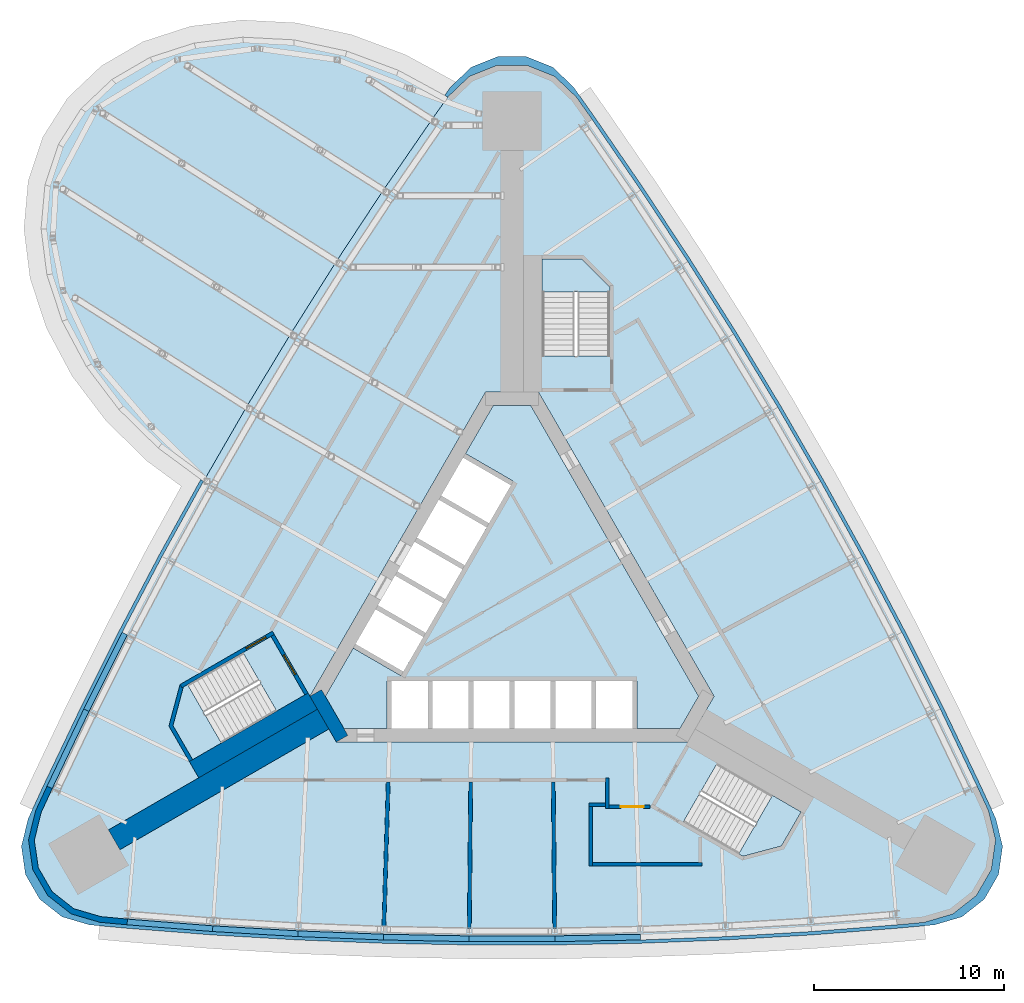
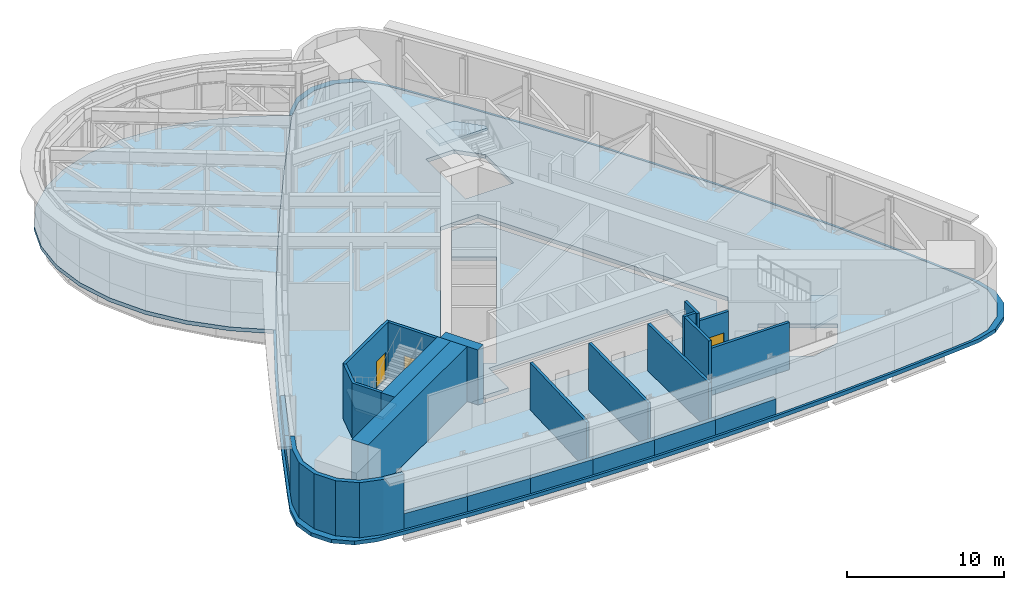
# One storey, part 6 of 11: 23 walls, 7 slabs, 3 doors, 3 openings, 3 elements without a shape of their own.
"""IFC4 building model written with IfcOpenShell, lengths in metres."""

from ifc_helpers import new_model, si_unit, direction, frame, frame_2d, origin, place, context, subcontext, project, spatial, polyline, rectangle, outline, extrude, material, layer, layer_set, type_object, element, fill, aggregate, save


model = new_model("IFC4")

# Units and contexts
model_context = context("Model", 3, precision=1e-05, world=origin(), true_north=direction((0.0, 1.0)))
body_context = subcontext(model_context, "Body", "Model", "MODEL_VIEW")
ifc_project = project(units=[si_unit("LENGTHUNIT", "METRE"), si_unit("AREAUNIT", "SQUARE_METRE"), si_unit("VOLUMEUNIT", "CUBIC_METRE"), si_unit("PLANEANGLEUNIT", "RADIAN"), si_unit("MASSUNIT", "GRAM", prefix="KILO")], contexts=[model_context])

# Site, building, storey
site_placement = place(None, origin())
site = spatial("IfcSite", under=ifc_project, at=site_placement, CompositionType="ELEMENT")
building_placement = place(site_placement, origin())
building = spatial("IfcBuilding", under=site, at=building_placement, Name="Noor Cloister Tower", CompositionType="ELEMENT")
storey_placement = place(building_placement, frame((0.0, 0.0, 87.0)))
storey = spatial("IfcBuildingStorey", under=building, at=storey_placement, Name="L22", CompositionType="ELEMENT", Elevation=87.0)

# Slabs
ifc_material_1 = material(Name="Concrete C40/50", Category="concrete")
ifc_layer_1 = layer(ifc_material_1, 0.300048828125)
ifc_layer_set_1 = layer_set([ifc_layer_1], Name="Core floor slab 300 C40/50")
slab_type_1 = type_object("IfcSlabType", Name="Core floor slab 300 C40/50", PredefinedType="FLOOR", material=ifc_layer_set_1)
slab_1_placement = place(storey_placement, frame((0.0, 0.0, -0.300048828125)))
element("IfcSlab", 1, at=slab_1_placement, inside=storey, type_object=slab_type_1, Name="Core floor L22", PredefinedType="FLOOR", context=body_context, shape_type="SweptSolid", body=[
    extrude(outline(polyline([(-6.574951171875, -6.228271484375), (-6.574951171875, -3.728271484375), (6.574951171875, -3.728271484375), (6.574951171875, -6.228271484375), (8.82470703125, -6.228271484375), (9.80615234375, -4.5283203125), (0.9814453125, 10.75634765625), (-0.9814453125, 10.75634765625), (-2.44384765625, 8.2236328125), (0.067626953125, 6.773681640625), (-5.832275390625, -3.4453125), (-8.34375, -1.995361328125), (-9.80615234375, -4.5283203125), (-8.82470703125, -6.228271484375), (-6.574951171875, -6.228271484375)])), origin(), (0.0, 0.0, 1.0), 0.300048828125),
])
ifc_material_2 = material(Name="Concrete C40/50", Category="concrete")
ifc_layer_2 = layer(ifc_material_2, 0.300048828125)
ifc_layer_set_2 = layer_set([ifc_layer_2], Name="Floor slab 300 C40/50")
slab_type_2 = type_object("IfcSlabType", Name="Floor slab 300 C40/50", PredefinedType="FLOOR", material=ifc_layer_set_2)
slab_2_placement = place(storey_placement, frame((0.0, 0.0, -0.300048828125)))
element("IfcSlab", 2, at=slab_2_placement, inside=storey, type_object=slab_type_2, Name="Floor slab L22", PredefinedType="FLOOR", context=body_context, shape_type="SweptSolid", body=[
    extrude(outline(polyline([(3.37548828125, 26.95263671875), (2.240478515625, 28.035400390625), (0.784423828125, 28.61865234375), (-0.784423828125, 28.61865234375), (-2.240478515625, 28.035400390625), (-3.37548828125, 26.95263671875), (-4.204833984375, 25.77978515625), (-6.754150390625, 22.07177734375), (-9.230224609375, 18.314208984375), (-11.6318359375, 14.5087890625), (-13.9580078125, 10.65673828125), (-16.2080078125, 6.759765625), (-18.380859375, 2.819091796875), (-20.475830078125, -1.16357421875), (-22.49169921875, -5.1865234375), (-24.42822265625, -9.24853515625), (-25.029541015625, -10.552978515625), (-25.399658203125, -12.077392578125), (-25.1767578125, -13.630126953125), (-24.392333984375, -14.988525390625), (-23.1591796875, -15.958251953125), (-21.65380859375, -16.399658203125), (-20.2236328125, -16.53125), (-15.737548828125, -16.88525390625), (-11.245361328125, -17.150634765625), (-6.7490234375, -17.327880859375), (-2.25, -17.41650390625), (2.25, -17.41650390625), (6.7490234375, -17.327880859375), (11.245361328125, -17.150634765625), (15.737548828125, -16.88525390625), (20.2236328125, -16.53125), (21.65380859375, -16.399658203125), (23.1591796875, -15.958251953125), (24.392333984375, -14.988525390625), (25.1767578125, -13.630126953125), (25.399658203125, -12.077392578125), (25.029541015625, -10.552978515625), (24.42822265625, -9.24853515625), (22.49169921875, -5.1865234375), (20.475830078125, -1.16357421875), (18.380859375, 2.819091796875), (16.2080078125, 6.759765625), (13.9580078125, 10.65673828125), (11.6318359375, 14.5087890625), (9.230224609375, 18.314208984375), (6.754150390625, 22.07177734375), (4.204833984375, 25.77978515625), (3.37548828125, 26.95263671875)]), holes=[polyline([(8.999755859375, -11.126220703125), (12.131591796875, -12.934326171875), (14.1572265625, -12.3916015625), (15.19091796875, -10.601318359375), (10.774658203125, -8.0517578125), (8.999755859375, -11.126220703125)]), polyline([(-17.81005859375, -6.064697265625), (-16.776611328125, -7.85498046875), (-12.3603515625, -5.305419921875), (-14.13525390625, -2.23095703125), (-16.662841796875, -3.690185546875), (-17.267333984375, -4.039306640625), (-17.81005859375, -6.064697265625)]), polyline([(-10.6142578125, -4.5283203125), (-9.228759765625, -6.92822265625), (9.228759765625, -6.92822265625), (10.6142578125, -4.5283203125), (1.3857421875, 11.456298828125), (-1.3857421875, 11.456298828125), (-10.6142578125, -4.5283203125)]), polyline([(3.65283203125, 18.456298828125), (1.585693359375, 18.456298828125), (1.585693359375, 13.35693359375), (5.135498046875, 13.35693359375), (5.135498046875, 16.9736328125), (3.65283203125, 18.456298828125)])]), origin(), (0.0, 0.0, 1.0), 0.300048828125),
])
ifc_material_3 = material(Name="Concrete C40/50", Category="concrete")
ifc_layer_3 = layer(ifc_material_3, 0.300048828125)
ifc_layer_set_3 = layer_set([ifc_layer_3], Name="Ledge roof 300 C40/50")
slab_type_3 = type_object("IfcSlabType", Name="Ledge roof 300 C40/50", PredefinedType="ROOF", material=ifc_layer_set_3)
slab_3_placement = place(storey_placement, frame((0.0, 0.0, -0.300048828125)))
element("IfcSlab", 3, at=slab_3_placement, inside=storey, type_object=slab_type_3, Name="Ledge roof L22", PredefinedType="ROOF", context=body_context, shape_type="SweptSolid", body=[
    extrude(outline(polyline([(6.910888671875, 22.162353515625), (4.3642578125, 25.87255859375), (3.216796875, 27.4951171875), (2.134521484375, 28.525390625), (0.7470703125, 29.080078125), (-0.7470703125, 29.080078125), (-2.134521484375, 28.525390625), (-3.216796875, 27.4951171875), (-3.5380859375, 27.040771484375), (-3.37548828125, 26.95263671875), (-2.240478515625, 28.035400390625), (-0.784423828125, 28.61865234375), (0.784423828125, 28.61865234375), (2.240478515625, 28.035400390625), (3.37548828125, 26.95263671875), (4.204833984375, 25.77978515625), (6.754150390625, 22.07177734375), (9.230224609375, 18.314208984375), (11.6318359375, 14.5087890625), (13.9580078125, 10.65673828125), (16.2080078125, 6.759765625), (18.380859375, 2.819091796875), (20.475830078125, -1.16357421875), (22.49169921875, -5.1865234375), (24.42822265625, -9.24853515625), (25.029541015625, -10.552978515625), (25.399658203125, -12.077392578125), (25.1767578125, -13.630126953125), (24.392333984375, -14.988525390625), (23.1591796875, -15.958251953125), (21.65380859375, -16.399658203125), (20.2236328125, -16.53125), (15.737548828125, -16.88525390625), (11.245361328125, -17.150634765625), (6.7490234375, -17.327880859375), (2.25, -17.41650390625), (-2.25, -17.41650390625), (-6.7490234375, -17.327880859375), (-11.245361328125, -17.150634765625), (-15.737548828125, -16.88525390625), (-20.2236328125, -16.53125), (-21.65380859375, -16.399658203125), (-23.1591796875, -15.958251953125), (-24.392333984375, -14.988525390625), (-25.1767578125, -13.630126953125), (-25.399658203125, -12.077392578125), (-25.029541015625, -10.552978515625), (-24.42822265625, -9.24853515625), (-22.49169921875, -5.1865234375), (-20.475830078125, -1.16357421875), (-18.380859375, 2.819091796875), (-16.2080078125, 6.759765625), (-16.35009765625, 6.864501953125), (-16.360107421875, 6.847412109375), (-18.53369140625, 2.9072265625), (-20.630126953125, -1.074462890625), (-22.648681640625, -5.09619140625), (-24.58837890625, -9.15673828125), (-25.419921875, -10.961669921875), (-25.770751953125, -12.4140625), (-25.5576171875, -13.89306640625), (-24.810546875, -15.18701171875), (-23.636474609375, -16.111083984375), (-22.203125, -16.533447265625), (-20.22412109375, -16.7158203125), (-15.73779296875, -17.066162109375), (-11.24560546875, -17.328857421875), (-6.7490234375, -17.504150390625), (-2.25, -17.591796875), (2.25, -17.591796875), (6.7490234375, -17.504150390625), (11.24560546875, -17.328857421875), (15.73779296875, -17.066162109375), (20.22412109375, -16.7158203125), (22.203125, -16.533447265625), (23.636474609375, -16.111083984375), (24.810546875, -15.18701171875), (25.5576171875, -13.89306640625), (25.770751953125, -12.4140625), (25.419921875, -10.961669921875), (24.58837890625, -9.15673828125), (22.648681640625, -5.09619140625), (20.630126953125, -1.074462890625), (18.53369140625, 2.9072265625), (16.360107421875, 6.847412109375), (14.110107421875, 10.744384765625), (11.78466796875, 14.596923828125), (9.384521484375, 18.4033203125), (6.910888671875, 22.162353515625)])), origin(), (0.0, 0.0, 1.0), 0.300048828125),
])
ifc_material_4 = material(Name="Concrete C40/50", Category="concrete")
ifc_layer_4 = layer(ifc_material_4, 0.300048828125)
ifc_layer_set_4 = layer_set([ifc_layer_4], Name="Pod floor slab 300")
slab_type_4 = type_object("IfcSlabType", Name="Pod floor slab 300", PredefinedType="FLOOR", material=ifc_layer_set_4)
slab_4_placement = place(storey_placement, frame((0.0, 0.0, -0.300048828125)))
element("IfcSlab", 4, at=slab_4_placement, inside=storey, type_object=slab_type_4, Name="Pod floor slab L22", PredefinedType="FLOOR", context=body_context, shape_type="SweptSolid", body=[
    extrude(outline(polyline([(-3.37548828125, 26.95263671875), (-5.96630859375, 28.357666015625), (-8.68701171875, 29.370849609375), (-11.445556640625, 29.9580078125), (-14.147705078125, 30.098876953125), (-16.70166015625, 29.7890625), (-19.02001953125, 29.03857421875), (-21.0244140625, 27.873291015625), (-22.646240234375, 26.332763671875), (-23.830078125, 24.469482421875), (-24.5361328125, 22.34716796875), (-24.739990234375, 20.03759765625), (-24.434814453125, 17.619873046875), (-23.631103515625, 15.17626953125), (-22.35595703125, 12.78955078125), (-20.65283203125, 10.54150390625), (-18.580078125, 8.508544921875), (-16.2080078125, 6.759765625), (-13.9580078125, 10.65673828125), (-11.6318359375, 14.5087890625), (-9.230224609375, 18.314208984375), (-6.754150390625, 22.07177734375), (-4.204833984375, 25.77978515625), (-3.37548828125, 26.95263671875)])), origin(), (0.0, 0.0, 1.0), 0.300048828125),
])

# Stair, slab
ifc_material_5 = material(Name="Concrete C40/50", Category="concrete")
stair_type = type_object("IfcStairType", Name="Exit stair 26 risers", PredefinedType="HALF_TURN_STAIR", material=ifc_material_5)
stair_1_placement = place(storey_placement, origin())
stair_1 = element("IfcStair", 5, at=stair_1_placement, inside=storey, type_object=stair_type, Name="Exit stair ST1 L22", PredefinedType="HALF_TURN_STAIR")
ifc_material_6 = material(Name="Concrete C40/50", Category="concrete")
ifc_layer_5 = layer(ifc_material_6, 0.199951171875)
ifc_layer_set_5 = layer_set([ifc_layer_5], Name="Stair landing 200 C40/50")
slab_type_5 = type_object("IfcSlabType", Name="Stair landing 200 C40/50", PredefinedType="LANDING", material=ifc_layer_set_5)
slab_5_placement = place(storey_placement, frame((0.0, 0.0, 2.050048828125)))
slab_5 = element("IfcSlab", 6, at=slab_5_placement, type_object=slab_type_5, Name="ST1 landing 1", PredefinedType="LANDING", context=body_context, shape_type="SweptSolid", body=[
    extrude(outline(polyline([(5.135498046875, 16.7158203125), (5.135498046875, 16.9736328125), (3.65283203125, 18.456298828125), (1.585693359375, 18.456298828125), (1.585693359375, 16.7158203125), (5.135498046875, 16.7158203125)])), origin(), (0.0, 0.0, 1.0), 0.199951171875),
])
aggregate(stair_1, [slab_5])

stair_2_placement = place(storey_placement, origin())
stair_2 = element("IfcStair", 7, at=stair_2_placement, inside=storey, type_object=stair_type, Name="Exit stair ST2 L22", PredefinedType="HALF_TURN_STAIR")
slab_6_placement = place(storey_placement, frame((0.0, 0.0, 2.050048828125)))
slab_6 = element("IfcSlab", 8, at=slab_6_placement, type_object=slab_type_5, Name="ST2 landing 1", PredefinedType="LANDING", context=body_context, shape_type="SweptSolid", body=[
    extrude(outline(polyline([(-17.044189453125, -3.910400390625), (-17.267333984375, -4.039306640625), (-17.81005859375, -6.064697265625), (-16.776611328125, -7.85498046875), (-15.26904296875, -6.984619140625), (-17.044189453125, -3.910400390625)])), origin(), (0.0, 0.0, 1.0), 0.199951171875),
])
aggregate(stair_2, [slab_6])

stair_3_placement = place(storey_placement, origin())
stair_3 = element("IfcStair", 9, at=stair_3_placement, inside=storey, type_object=stair_type, Name="Exit stair ST3 L22", PredefinedType="HALF_TURN_STAIR")
slab_7_placement = place(storey_placement, frame((0.0, 0.0, 2.050048828125)))
slab_7 = element("IfcSlab", 10, at=slab_7_placement, type_object=slab_type_5, Name="ST3 landing 1", PredefinedType="LANDING", context=body_context, shape_type="SweptSolid", body=[
    extrude(outline(polyline([(11.908447265625, -12.805419921875), (12.131591796875, -12.934326171875), (14.1572265625, -12.3916015625), (15.19091796875, -10.601318359375), (13.68359375, -9.731201171875), (11.908447265625, -12.805419921875)])), origin(), (0.0, 0.0, 1.0), 0.199951171875),
])
aggregate(stair_3, [slab_7])

# Walls
ifc_material_7 = material(Name="Concrete C80/95", Category="concrete")
ifc_layer_6 = layer(ifc_material_7, 1.199951171875)
ifc_layer_set_6 = layer_set([ifc_layer_6], Name="Buttress wall 1200 C80/95")
wall_type_1 = type_object("IfcWallType", Name="Buttress wall 1200 C80/95", PredefinedType="SHEAR", material=ifc_layer_set_6)
wall_1_placement = place(storey_placement, frame((-9.921630859375, -5.728271484375, -0.300048828125), z_axis=(0.0, 0.0, 1.0), x_axis=(-0.866029086277, -0.499993621681, 0.0)))
element("IfcWall", 11, at=wall_1_placement, inside=storey, type_object=wall_type_1, Name="Buttress wall SW L22", PredefinedType="SHEAR", context=body_context, shape_type="SweptSolid", body=[
    extrude(rectangle(XDim=12.677490234375, YDim=1.199951171875, at=frame_2d((6.3388671875, 0.0))), origin(), (0.0, 0.0, 1.0), 4.60009765625),
])
ifc_material_8 = material(Name="Concrete C80/95", Category="concrete")
ifc_layer_7 = layer(ifc_material_8, 0.699951171875)
ifc_layer_set_7 = layer_set([ifc_layer_7], Name="Core wall 700 C80/95")
wall_type_2 = type_object("IfcWallType", Name="Core wall 700 C80/95", PredefinedType="SHEAR", material=ifc_layer_set_7)
wall_2_placement = place(storey_placement, frame((-10.311279296875, -4.353271484375, -0.300048828125), z_axis=(0.0, 0.0, 1.0), x_axis=(0.500042739161, -0.866000726912, 0.0)))
element("IfcWall", 12, at=wall_2_placement, inside=storey, type_object=wall_type_2, Name="Core wall L22 6", PredefinedType="SHEAR", context=body_context, shape_type="SweptSolid", body=[
    extrude(rectangle(XDim=2.771240234375, YDim=0.699951171875, at=frame_2d((1.3857421875, 0.0))), origin(), (0.0, 0.0, 1.0), 4.60009765625),
])
ifc_material_9 = material(Name="Limestone", Category="masonry")
ifc_layer_8 = layer(ifc_material_9, 0.300048828125)
ifc_layer_set_8 = layer_set([ifc_layer_8], Name="Limestone cladding 300")
wall_type_3 = type_object("IfcWallType", Name="Limestone cladding 300", PredefinedType="NOTDEFINED", material=ifc_layer_set_8)
wall_3_placement = place(storey_placement, origin())
element("IfcWall", 13, at=wall_3_placement, inside=storey, type_object=wall_type_3, Name="Limestone pier cladding L22 1.1", PredefinedType="NOTDEFINED", context=body_context, shape_type="SweptSolid", body=[
    extrude(outline(polyline([(-24.42822265625, -9.24853515625), (-25.029541015625, -10.552978515625), (-25.399658203125, -12.077392578125), (-25.1767578125, -13.630126953125), (-24.392333984375, -14.988525390625), (-23.1591796875, -15.958251953125), (-21.65380859375, -16.399658203125), (-20.2236328125, -16.53125), (-20.196044921875, -16.232421875), (-21.597412109375, -16.103515625), (-23.019287109375, -15.6865234375), (-24.161376953125, -14.78857421875), (-24.887939453125, -13.5302734375), (-25.094482421875, -12.092041015625), (-24.744873046875, -10.652099609375), (-24.15576171875, -9.3740234375), (-24.42822265625, -9.24853515625)])), origin(), (0.0, 0.0, 1.0), 4.300048828125),
])
ifc_material_10 = material(Name="Limestone", Category="masonry")
ifc_layer_9 = layer(ifc_material_10, 0.300048828125)
ifc_layer_set_9 = layer_set([ifc_layer_9], Name="Limestone panel wall 300")
wall_type_4 = type_object("IfcWallType", Name="Limestone panel wall 300", PredefinedType="NOTDEFINED", material=ifc_layer_set_9)
wall_4_placement = place(storey_placement, origin())
element("IfcWall", 14, at=wall_4_placement, inside=storey, type_object=wall_type_4, Name="Limestone panel wall L22 2.3", PredefinedType="NOTDEFINED", context=body_context, shape_type="SweptSolid", body=[
    extrude(outline(polyline([(-20.475830078125, -1.16357421875), (-22.49169921875, -5.1865234375), (-22.2236328125, -5.321044921875), (-20.20751953125, -1.2978515625), (-20.475830078125, -1.16357421875)])), origin(), (0.0, 0.0, 1.0), 1.199951171875),
])
wall_5_placement = place(storey_placement, origin())
element("IfcWall", 15, at=wall_5_placement, inside=storey, type_object=wall_type_4, Name="Limestone panel wall L22 2.4", PredefinedType="NOTDEFINED", context=body_context, shape_type="SweptSolid", body=[
    extrude(outline(polyline([(-22.49169921875, -5.1865234375), (-24.42822265625, -9.24853515625), (-24.157470703125, -9.377685546875), (-22.220947265625, -5.315673828125), (-22.49169921875, -5.1865234375)])), origin(), (0.0, 0.0, 1.0), 1.199951171875),
])
wall_6_placement = place(storey_placement, origin())
element("IfcWall", 16, at=wall_6_placement, inside=storey, type_object=wall_type_4, Name="Limestone panel wall L22 3.1", PredefinedType="NOTDEFINED", context=body_context, shape_type="SweptSolid", body=[
    extrude(outline(polyline([(-20.2236328125, -16.53125), (-15.737548828125, -16.88525390625), (-15.7138671875, -16.586181640625), (-20.199951171875, -16.232177734375), (-20.2236328125, -16.53125)])), origin(), (0.0, 0.0, 1.0), 1.199951171875),
])
wall_7_placement = place(storey_placement, origin())
element("IfcWall", 17, at=wall_7_placement, inside=storey, type_object=wall_type_4, Name="Limestone panel wall L22 3.2", PredefinedType="NOTDEFINED", context=body_context, shape_type="SweptSolid", body=[
    extrude(outline(polyline([(-15.737548828125, -16.88525390625), (-11.245361328125, -17.150634765625), (-11.227783203125, -16.851318359375), (-15.7197265625, -16.585693359375), (-15.737548828125, -16.88525390625)])), origin(), (0.0, 0.0, 1.0), 1.199951171875),
])
wall_8_placement = place(storey_placement, origin())
element("IfcWall", 18, at=wall_8_placement, inside=storey, type_object=wall_type_4, Name="Limestone panel wall L22 3.3", PredefinedType="NOTDEFINED", context=body_context, shape_type="SweptSolid", body=[
    extrude(outline(polyline([(-11.245361328125, -17.150634765625), (-6.7490234375, -17.327880859375), (-6.7373046875, -17.028076171875), (-11.233642578125, -16.85107421875), (-11.245361328125, -17.150634765625)])), origin(), (0.0, 0.0, 1.0), 1.199951171875),
])
wall_9_placement = place(storey_placement, origin())
element("IfcWall", 19, at=wall_9_placement, inside=storey, type_object=wall_type_4, Name="Limestone panel wall L22 3.4", PredefinedType="NOTDEFINED", context=body_context, shape_type="SweptSolid", body=[
    extrude(outline(polyline([(-6.7490234375, -17.327880859375), (-2.25, -17.41650390625), (-2.244140625, -17.116455078125), (-6.7431640625, -17.02783203125), (-6.7490234375, -17.327880859375)])), origin(), (0.0, 0.0, 1.0), 1.199951171875),
])
wall_10_placement = place(storey_placement, origin())
element("IfcWall", 20, at=wall_10_placement, inside=storey, type_object=wall_type_4, Name="Limestone panel wall L22 3.5", PredefinedType="NOTDEFINED", context=body_context, shape_type="SweptSolid", body=[
    extrude(outline(polyline([(-2.25, -17.41650390625), (2.25, -17.41650390625), (2.25, -17.116455078125), (-2.25, -17.116455078125), (-2.25, -17.41650390625)])), origin(), (0.0, 0.0, 1.0), 1.199951171875),
])
wall_11_placement = place(storey_placement, origin())
element("IfcWall", 21, at=wall_11_placement, inside=storey, type_object=wall_type_4, Name="Limestone panel wall L22 3.6", PredefinedType="NOTDEFINED", context=body_context, shape_type="SweptSolid", body=[
    extrude(outline(polyline([(2.25, -17.41650390625), (6.7490234375, -17.327880859375), (6.7431640625, -17.02783203125), (2.244140625, -17.116455078125), (2.25, -17.41650390625)])), origin(), (0.0, 0.0, 1.0), 1.199951171875),
])

# Wall, opening, door
ifc_material_11 = material(Name="Concrete C80/95", Category="concrete")
ifc_layer_10 = layer(ifc_material_11, 0.199951171875)
ifc_layer_set_10 = layer_set([ifc_layer_10], Name="Stair enclosure wall 200 C80/95")
wall_type_5 = type_object("IfcWallType", Name="Stair enclosure wall 200 C80/95", PredefinedType="SHEAR", material=ifc_layer_set_10)
wall_12_placement = place(storey_placement, frame((-12.575927734375, -1.33056640625, -0.300048828125), z_axis=(0.0, 0.0, 1.0), x_axis=(0.499970499736, -0.8660424351, 0.0)))
wall_12 = element("IfcWall", 22, at=wall_12_placement, inside=storey, type_object=wall_type_5, Name="Stair enclosure wall ST2 L22 near end", PredefinedType="SHEAR", context=body_context, shape_type="SweptSolid", body=[
    extrude(rectangle(XDim=3.550048828125, YDim=0.199951171875, at=frame_2d((1.77490234375, 0.0))), origin(), (0.0, 0.0, 1.0), 4.60009765625),
])
opening_1_placement = place(wall_12_placement, frame((1.175048828125, 0.0, 0.300048828125)))
opening_1 = element("IfcOpeningElement", 23, at=opening_1_placement, cuts=wall_12, Name="Opening L22-ST2L", PredefinedType="OPENING", context=body_context, shape_type="SweptSolid", body=[
    extrude(rectangle(XDim=1.199951171875, YDim=2.10009765625, at=frame_2d((0.60009765625, 1.050048828125))), frame((0.0, 0.10986328125, 0.0), z_axis=(0.0, -1.0, 0.0), x_axis=(1.0, 0.0, 0.0)), (0.0, 0.0, 1.0), 0.219970703125),
])
ifc_material_12 = material(Name="Steel", Category="steel")
door_type_1 = type_object("IfcDoorType", Name="Stair door 1200 x 2100 FD120", OperationType="SINGLE_SWING_LEFT", PredefinedType="DOOR", material=ifc_material_12)
door_1_placement = place(opening_1_placement, origin())
door_1 = element("IfcDoor", 24, at=door_1_placement, inside=storey, type_object=door_type_1, Name="Stair door ST2 L22", OperationType="SINGLE_SWING_RIGHT", OverallHeight=2.10009765625, OverallWidth=1.199951171875, PredefinedType="DOOR", context=body_context, shape_type="SweptSolid", body=[
    extrude(rectangle(XDim=1.199951171875, YDim=2.10009765625, at=frame_2d((0.60009765625, 1.050048828125))), frame((0.0, 0.02490234375, 0.0), z_axis=(0.0, -1.0, 0.0), x_axis=(1.0, 0.0, 0.0)), (0.0, 0.0, 1.0), 0.050048828125),
])
fill(opening_1, door_1)

wall_13_placement = place(storey_placement, frame((-12.539306640625, -1.194091796875, -0.300048828125), z_axis=(0.0, 0.0, 1.0), x_axis=(-0.866045472092, -0.499965239061, 0.0)))
wall_13 = element("IfcWall", 25, at=wall_13_placement, inside=storey, type_object=wall_type_5, Name="Stair enclosure wall ST2 L22 outer side", PredefinedType="SHEAR", context=body_context, shape_type="SweptSolid", body=[
    extrude(rectangle(XDim=5.60009765625, YDim=0.199951171875, at=frame_2d((2.800048828125, 0.0))), origin(), (0.0, 0.0, 1.0), 4.60009765625),
])
opening_2_placement = place(wall_13_placement, frame((0.449951171875, 0.0, 0.300048828125)))
opening_2 = element("IfcOpeningElement", 26, at=opening_2_placement, cuts=wall_13, Name="Opening L22-ST2C", PredefinedType="OPENING", context=body_context, shape_type="SweptSolid", body=[
    extrude(rectangle(XDim=1.199951171875, YDim=2.10009765625, at=frame_2d((0.60009765625, 1.050048828125))), frame((0.0, 0.10986328125, 0.0), z_axis=(0.0, -1.0, 0.0), x_axis=(1.0, 0.0, 0.0)), (0.0, 0.0, 1.0), 0.219970703125),
])
door_2_placement = place(opening_2_placement, origin())
door_2 = element("IfcDoor", 27, at=door_2_placement, inside=storey, type_object=door_type_1, Name="Stair door ST2 L22", OperationType="SINGLE_SWING_LEFT", OverallHeight=2.10009765625, OverallWidth=1.199951171875, PredefinedType="DOOR", context=body_context, shape_type="SweptSolid", body=[
    extrude(rectangle(XDim=1.199951171875, YDim=2.10009765625, at=frame_2d((0.60009765625, 1.050048828125))), frame((0.0, 0.02490234375, 0.0), z_axis=(0.0, -1.0, 0.0), x_axis=(1.0, 0.0, 0.0)), (0.0, 0.0, 1.0), 0.050048828125),
])
fill(opening_2, door_2)

# Walls
ifc_material_13 = material(Name="Concrete C80/95", Category="concrete")
ifc_layer_11 = layer(ifc_material_13, 0.986083984375)
ifc_layer_set_11 = layer_set([ifc_layer_11], Name="Stair enclosure wall 986 C80/95")
wall_type_6 = type_object("IfcWallType", Name="Stair enclosure wall 986 C80/95", PredefinedType="SHEAR", material=ifc_layer_set_11)
wall_14_placement = place(storey_placement, frame((-10.468017578125, -4.78173828125, -0.300048828125), z_axis=(0.0, 0.0, 1.0), x_axis=(-0.866018442252, -0.500012057535, 0.0)))
element("IfcWall", 28, at=wall_14_placement, inside=storey, type_object=wall_type_6, Name="Stair enclosure wall ST2 L22 riser side", PredefinedType="SHEAR", context=body_context, shape_type="SweptSolid", body=[
    extrude(rectangle(XDim=7.199951171875, YDim=0.985595703125, at=frame_2d((3.60009765625, 0.0))), origin(), (0.0, 0.0, 1.0), 4.60009765625),
])
ifc_material_14 = material(Name="Concrete C80/95", Category="concrete")
wall_type_7 = type_object("IfcWallType", Name="Stair far end wall C80/95", PredefinedType="SHEAR", material=ifc_material_14)
wall_15_placement = place(storey_placement, frame((0.0, 0.0, -0.300048828125)))
element("IfcWall", 29, at=wall_15_placement, inside=storey, type_object=wall_type_7, Name="Stair enclosure wall ST2 L22 far end", PredefinedType="SHEAR", context=body_context, shape_type="SweptSolid", body=[
    extrude(outline(polyline([(-17.439208984375, -3.907470703125), (-18.024658203125, -6.093017578125), (-16.94970703125, -7.955078125), (-16.776611328125, -7.85498046875), (-17.81005859375, -6.064697265625), (-17.267333984375, -4.039306640625), (-17.339111328125, -4.08056640625), (-17.339111328125, -4.08056640625), (-17.339111328125, -4.08056640625), (-17.339111328125, -4.08056640625), (-17.339111328125, -4.08056640625), (-17.339111328125, -4.08056640625), (-17.339111328125, -4.08056640625), (-17.339111328125, -4.08056640625), (-17.339111328125, -4.08056640625), (-17.339111328125, -4.08056640625), (-17.339111328125, -4.08056640625), (-17.339111328125, -4.08056640625), (-17.339111328125, -4.08056640625), (-17.339111328125, -4.08056640625), (-17.339111328125, -4.08056640625), (-17.339111328125, -4.08056640625), (-17.339111328125, -4.08056640625), (-17.439208984375, -3.907470703125)])), origin(), (0.0, 0.0, 1.0), 4.60009765625),
])
ifc_material_15 = material(Name="Concrete block wall, 200 mm", Category="concrete")
ifc_layer_12 = layer(ifc_material_15, 0.199951171875)
ifc_layer_set_12 = layer_set([ifc_layer_12], Name="Upper floor plant room wall 200")
wall_type_8 = type_object("IfcWallType", Name="Upper floor plant room wall 200", PredefinedType="PARTITIONING", material=ifc_layer_set_12)
wall_16_placement = place(storey_placement, frame((4.03564453125, -10.228271484375, 0.0), z_axis=(0.0, 0.0, 1.0), x_axis=(1.0, 0.0, 0.0)))
element("IfcWall", 30, at=wall_16_placement, inside=storey, type_object=wall_type_8, Name="Upper floor plant room wall 200 L22 004", PredefinedType="PARTITIONING", context=body_context, shape_type="SweptSolid", body=[
    extrude(rectangle(XDim=0.8642578125, YDim=0.199951171875, at=frame_2d((0.43212890625, 0.0))), origin(), (0.0, 0.0, 1.0), 4.300048828125),
])
wall_17_placement = place(storey_placement, frame((5.0, -10.42822265625, 0.0), z_axis=(0.0, 0.0, 1.0), x_axis=(0.0, 1.0, 0.0)))
element("IfcWall", 31, at=wall_17_placement, inside=storey, type_object=wall_type_8, Name="Upper floor plant room wall 200 L22 005", PredefinedType="PARTITIONING", context=body_context, shape_type="SweptSolid", body=[
    extrude(rectangle(XDim=1.59814453125, YDim=0.199951171875, at=frame_2d((0.799072265625, 0.0))), origin(), (0.0, 0.0, 1.0), 4.300048828125),
])

# Wall, opening, door
wall_18_placement = place(storey_placement, frame((5.10009765625, -10.328125, 0.0), z_axis=(0.0, 0.0, 1.0), x_axis=(1.0, 0.0, 0.0)))
wall_18 = element("IfcWall", 32, at=wall_18_placement, inside=storey, type_object=wall_type_8, Name="Upper floor plant room wall 200 L22 006", PredefinedType="PARTITIONING", context=body_context, shape_type="SweptSolid", body=[
    extrude(rectangle(XDim=2.153564453125, YDim=0.199951171875, at=frame_2d((1.07666015625, 0.0))), origin(), (0.0, 0.0, 1.0), 3.677978515625),
])
opening_3_placement = place(wall_18_placement, frame((0.61474609375, 0.0, 0.0)))
opening_3 = element("IfcOpeningElement", 33, at=opening_3_placement, cuts=wall_18, Name="Opening L22-008", PredefinedType="OPENING", context=body_context, shape_type="SweptSolid", body=[
    extrude(rectangle(XDim=1.199951171875, YDim=2.10009765625, at=frame_2d((0.60009765625, 1.050048828125))), frame((0.0, 0.10986328125, 0.0), z_axis=(0.0, -1.0, 0.0), x_axis=(1.0, 0.0, 0.0)), (0.0, 0.0, 1.0), 0.219970703125),
])
ifc_material_16 = material(Name="Timber door leaf with steel frame", Category="steel")
door_type_2 = type_object("IfcDoorType", Name="Protected lobby door 1200", OperationType="NOTDEFINED", PredefinedType="DOOR", material=ifc_material_16)
door_3_placement = place(opening_3_placement, origin())
door_3 = element("IfcDoor", 34, at=door_3_placement, inside=storey, type_object=door_type_2, Name="Protected lobby door 1200 L22-008", OperationType="SINGLE_SWING_RIGHT", OverallHeight=2.10009765625, OverallWidth=1.199951171875, PredefinedType="DOOR", context=body_context, shape_type="SweptSolid", body=[
    extrude(rectangle(XDim=1.199951171875, YDim=2.10009765625, at=frame_2d((0.60009765625, 1.050048828125))), frame((0.0, 0.02490234375, 0.0), z_axis=(0.0, -1.0, 0.0), x_axis=(1.0, 0.0, 0.0)), (0.0, 0.0, 1.0), 0.050048828125),
])
fill(opening_3, door_3)

# Walls
wall_19_placement = place(storey_placement, frame((-6.728515625, -16.628173828125, 0.0), z_axis=(0.0, 0.0, 1.0), x_axis=(0.029552918332, 0.999563217119, 0.0)))
element("IfcWall", 35, at=wall_19_placement, inside=storey, type_object=wall_type_8, Name="Upper floor plant room wall 200 L22 008", PredefinedType="PARTITIONING", context=body_context, shape_type="SweptSolid", body=[
    extrude(rectangle(XDim=7.600341796875, YDim=0.199951171875, at=frame_2d((3.80029296875, 0.0))), origin(), (0.0, 0.0, 1.0), 3.677978515625),
])
for number, where, z_axis, x_axis, name in (
    (36, (-2.2431640625, -16.71630859375, 0.0), (0.0, 0.0, 1.0), (0.009845168516, 0.999951535154, 0.0), "Upper floor plant room wall 200 L22 009"),
    (37, (2.16748046875, -9.029296875, 0.0), (0.0, 0.0, 1.0), (0.009845168516, -0.999951535154, 0.0), "Upper floor plant room wall 200 L22 010"),
):
    element("IfcWall", number, at=place(storey_placement, frame(where, z_axis=z_axis, x_axis=x_axis)), inside=storey, type_object=wall_type_8, Name=name, PredefinedType="PARTITIONING", context=body_context, shape_type="SweptSolid", body=[
        extrude(rectangle(XDim=7.6875, YDim=0.199951171875, at=frame_2d((3.84375, 0.0))), origin(), (0.0, 0.0, 1.0), 3.677978515625),
    ])
wall_20_placement = place(storey_placement, frame((4.133544921875, -10.328125, 0.0), z_axis=(0.0, 0.0, 1.0), x_axis=(0.0, -1.0, 0.0)))
element("IfcWall", 38, at=wall_20_placement, inside=storey, type_object=wall_type_8, Name="Upper floor plant room wall 200 L22 011", PredefinedType="PARTITIONING", context=body_context, shape_type="SweptSolid", body=[
    extrude(rectangle(XDim=3.11962890625, YDim=0.199951171875, at=frame_2d((1.559814453125, 0.0))), origin(), (0.0, 0.0, 1.0), 4.300048828125),
])
wall_21_placement = place(storey_placement, frame((4.233642578125, -13.349853515625, 0.0), z_axis=(0.0, 0.0, 1.0), x_axis=(1.0, 0.0, 0.0)))
element("IfcWall", 39, at=wall_21_placement, inside=storey, type_object=wall_type_8, Name="Upper floor plant room wall 200 L22 012", PredefinedType="PARTITIONING", context=body_context, shape_type="SweptSolid", body=[
    extrude(rectangle(XDim=5.7568359375, YDim=0.199951171875, at=frame_2d((2.87841796875, 0.0))), origin(), (0.0, 0.0, 1.0), 3.677978515625),
])

save(model, "model.ifc")
